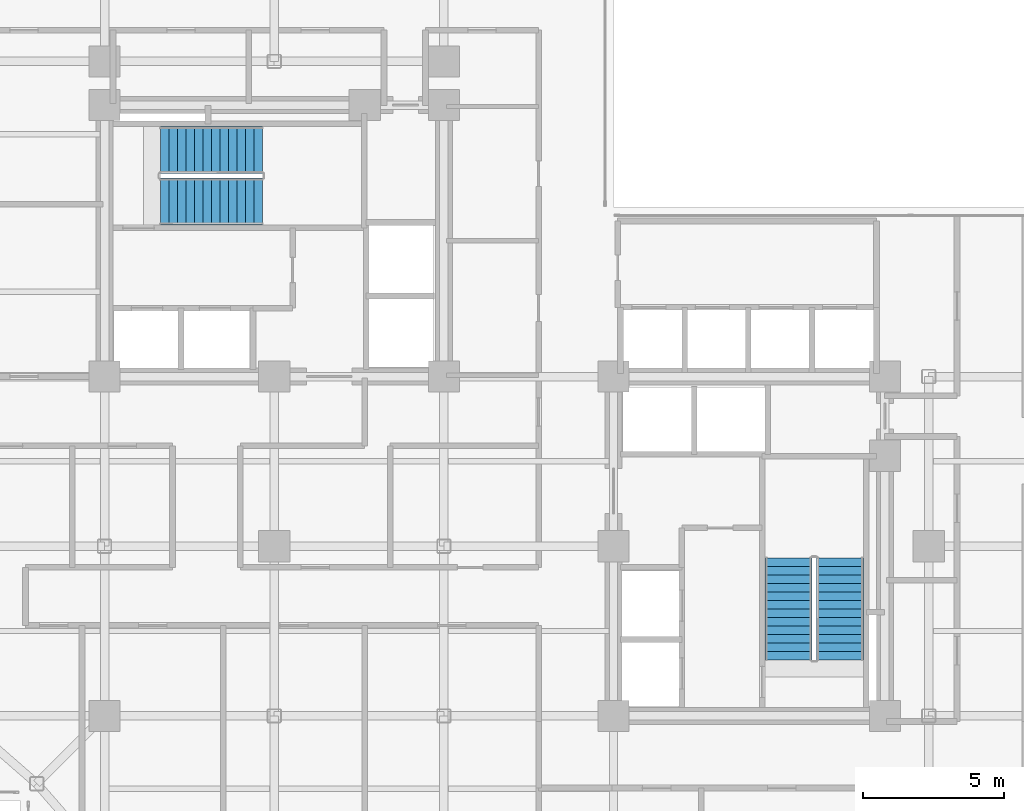
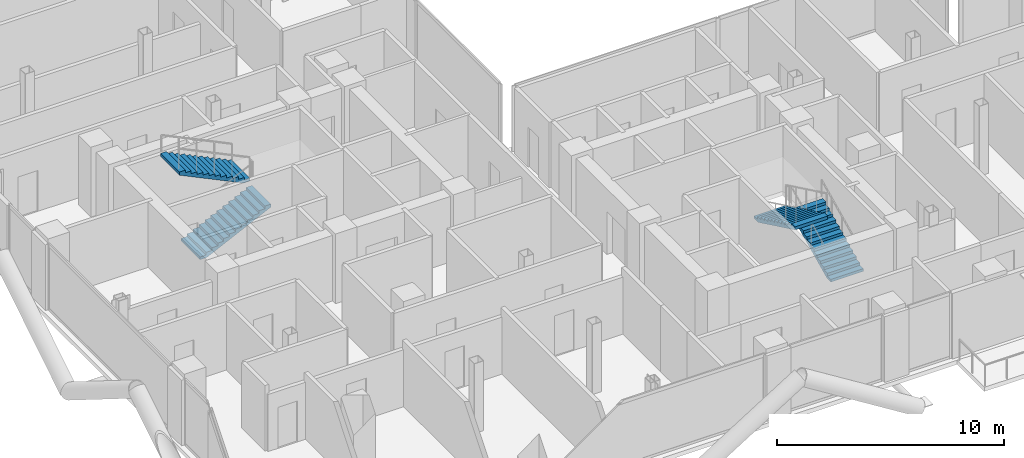
# One storey, part 25 of 28: 4 stair flights, 2 elements without a shape of their own.
"""IFC4 building model written with IfcOpenShell, lengths in metres."""

from ifc_helpers import new_model, si_unit, direction, frame, origin, place, context, subcontext, project, spatial, polyline, outline, extrude, material, type_object, element, aggregate, save


model = new_model("IFC4")

# Units and contexts
model_context = context("Model", 3, precision=1e-05, world=origin(), true_north=direction((0.0, 1.0)))
body_context = subcontext(model_context, "Body", "Model", "MODEL_VIEW")
ifc_project = project(units=[si_unit("LENGTHUNIT", "METRE"), si_unit("AREAUNIT", "SQUARE_METRE"), si_unit("VOLUMEUNIT", "CUBIC_METRE"), si_unit("PLANEANGLEUNIT", "RADIAN"), si_unit("MASSUNIT", "GRAM", prefix="KILO"), si_unit("THERMODYNAMICTEMPERATUREUNIT", "KELVIN"), si_unit("POWERUNIT", "WATT")], contexts=[model_context])

# Site, building, storey
site_placement = place(None, origin())
site = spatial("IfcSite", under=ifc_project, at=site_placement, CompositionType="ELEMENT")
building_placement = place(site_placement, origin())
building = spatial("IfcBuilding", under=site, at=building_placement, Name="Svarakhadi Broadcast Tower", CompositionType="ELEMENT")
storey_placement = place(building_placement, frame((0.0, 0.0, 119.39990234375)))
storey = spatial("IfcBuildingStorey", under=building, at=storey_placement, Name="L28", CompositionType="ELEMENT", Elevation=119.39990234375)

# Stair, stair flights
ifc_material = material(Name="Concrete C40/50 (IS 456 M50)", Category="concrete")
stair_type = type_object("IfcStairType", Name="Stair_Exit_Core", PredefinedType="HALF_TURN_STAIR", material=ifc_material)
stair_1_placement = place(storey_placement, origin())
stair_1 = element("IfcStair", 1, at=stair_1_placement, inside=storey, type_object=stair_type, Name="L28 West Core Protected Exit Stair ST-01", PredefinedType="HALF_TURN_STAIR")
stair_flight_type = type_object("IfcStairFlightType", Name="Flight_RC_1680", PredefinedType="STRAIGHT", material=ifc_material)
stair_flight_1_placement = place(storey_placement, frame((7.97998046875, 24.18994140625, 0.0), z_axis=(0.0, 0.0, 1.0), x_axis=(1.0, 0.0, 0.0)))
stair_flight_1 = element("IfcStairFlight", 2, at=stair_flight_1_placement, type_object=stair_flight_type, Name="ST-01 flight 1", NumberOfRisers=13, NumberOfTreads=12, PredefinedType="STRAIGHT", RiserHeight=0.144230769, TreadLength=0.3, context=body_context, shape_type="SweptSolid", body=[
    extrude(outline(polyline([(0.0, 0.0), (0.0, 0.144287109375), (0.300048828125, 0.144287109375), (0.300048828125, 0.28857421875), (0.60009765625, 0.28857421875), (0.60009765625, 0.4326171875), (0.89990234375, 0.4326171875), (0.89990234375, 0.576904296875), (1.199951171875, 0.576904296875), (1.199951171875, 0.72119140625), (1.5, 0.72119140625), (1.5, 0.865478515625), (1.800048828125, 0.865478515625), (1.800048828125, 1.009521484375), (2.10009765625, 1.009521484375), (2.10009765625, 1.15380859375), (2.39990234375, 1.15380859375), (2.39990234375, 1.298095703125), (2.699951171875, 1.298095703125), (2.699951171875, 1.4423828125), (3.0, 1.4423828125), (3.0, 1.58642578125), (3.300048828125, 1.58642578125), (3.300048828125, 1.730712890625), (3.60009765625, 1.730712890625), (3.60009765625, 1.875), (3.60009765625, 1.564453125), (0.345947265625, 0.0), (0.0, 0.0)])), frame((0.0, 0.830078125, 0.0), z_axis=(0.0, -1.0, 0.0), x_axis=(1.0, 0.0, 0.0)), (0.0, 0.0, 1.0), 1.659912109375),
])
stair_flight_2_placement = place(storey_placement, frame((11.580078125, 26.010009765625, 1.875), z_axis=(0.0, 0.0, 1.0), x_axis=(-1.0, 0.0, 0.0)))
stair_flight_2 = element("IfcStairFlight", 3, at=stair_flight_2_placement, type_object=stair_flight_type, Name="ST-01 flight 2", NumberOfRisers=13, NumberOfTreads=12, PredefinedType="STRAIGHT", RiserHeight=0.144230769, TreadLength=0.3, context=body_context, shape_type="SweptSolid", body=[
    extrude(outline(polyline([(0.0, 0.0), (0.0, 0.144287109375), (0.300048828125, 0.144287109375), (0.300048828125, 0.28857421875), (0.60009765625, 0.28857421875), (0.60009765625, 0.4326171875), (0.89990234375, 0.4326171875), (0.89990234375, 0.576904296875), (1.199951171875, 0.576904296875), (1.199951171875, 0.72119140625), (1.5, 0.72119140625), (1.5, 0.865478515625), (1.800048828125, 0.865478515625), (1.800048828125, 1.009521484375), (2.10009765625, 1.009521484375), (2.10009765625, 1.15380859375), (2.39990234375, 1.15380859375), (2.39990234375, 1.298095703125), (2.699951171875, 1.298095703125), (2.699951171875, 1.4423828125), (3.0, 1.4423828125), (3.0, 1.58642578125), (3.300048828125, 1.58642578125), (3.300048828125, 1.730712890625), (3.60009765625, 1.730712890625), (3.60009765625, 1.875), (3.60009765625, 1.564453125), (0.345947265625, 0.0), (0.0, 0.0)])), frame((0.0, 0.830078125, 0.0), z_axis=(0.0, -1.0, 0.0), x_axis=(1.0, 0.0, 0.0)), (0.0, 0.0, 1.0), 1.659912109375),
])
aggregate(stair_1, [stair_flight_1, stair_flight_2])

stair_2_placement = place(storey_placement, origin())
stair_2 = element("IfcStair", 4, at=stair_2_placement, inside=storey, type_object=stair_type, Name="L28 East Core Protected Exit Stair ST-02", PredefinedType="HALF_TURN_STAIR")
stair_flight_3_placement = place(storey_placement, frame((32.010009765625, 7.97998046875, 0.0), z_axis=(0.0, 0.0, 1.0), x_axis=(0.0, 1.0, 0.0)))
stair_flight_3 = element("IfcStairFlight", 5, at=stair_flight_3_placement, type_object=stair_flight_type, Name="ST-02 flight 1", NumberOfRisers=13, NumberOfTreads=12, PredefinedType="STRAIGHT", RiserHeight=0.144230769, TreadLength=0.3, context=body_context, shape_type="SweptSolid", body=[
    extrude(outline(polyline([(0.0, 0.0), (0.0, 0.144287109375), (0.300048828125, 0.144287109375), (0.300048828125, 0.28857421875), (0.60009765625, 0.28857421875), (0.60009765625, 0.4326171875), (0.89990234375, 0.4326171875), (0.89990234375, 0.576904296875), (1.199951171875, 0.576904296875), (1.199951171875, 0.72119140625), (1.5, 0.72119140625), (1.5, 0.865478515625), (1.800048828125, 0.865478515625), (1.800048828125, 1.009521484375), (2.10009765625, 1.009521484375), (2.10009765625, 1.15380859375), (2.39990234375, 1.15380859375), (2.39990234375, 1.298095703125), (2.699951171875, 1.298095703125), (2.699951171875, 1.4423828125), (3.0, 1.4423828125), (3.0, 1.58642578125), (3.300048828125, 1.58642578125), (3.300048828125, 1.730712890625), (3.60009765625, 1.730712890625), (3.60009765625, 1.875), (3.60009765625, 1.564453125), (0.345947265625, 0.0), (0.0, 0.0)])), frame((0.0, 0.830078125, 0.0), z_axis=(0.0, -1.0, 0.0), x_axis=(1.0, 0.0, 0.0)), (0.0, 0.0, 1.0), 1.659912109375),
])
stair_flight_4_placement = place(storey_placement, frame((30.18994140625, 11.580078125, 1.875), z_axis=(0.0, 0.0, 1.0), x_axis=(0.0, -1.0, 0.0)))
stair_flight_4 = element("IfcStairFlight", 6, at=stair_flight_4_placement, type_object=stair_flight_type, Name="ST-02 flight 2", NumberOfRisers=13, NumberOfTreads=12, PredefinedType="STRAIGHT", RiserHeight=0.144230769, TreadLength=0.3, context=body_context, shape_type="SweptSolid", body=[
    extrude(outline(polyline([(0.0, 0.0), (0.0, 0.144287109375), (0.300048828125, 0.144287109375), (0.300048828125, 0.28857421875), (0.60009765625, 0.28857421875), (0.60009765625, 0.4326171875), (0.89990234375, 0.4326171875), (0.89990234375, 0.576904296875), (1.199951171875, 0.576904296875), (1.199951171875, 0.72119140625), (1.5, 0.72119140625), (1.5, 0.865478515625), (1.800048828125, 0.865478515625), (1.800048828125, 1.009521484375), (2.10009765625, 1.009521484375), (2.10009765625, 1.15380859375), (2.39990234375, 1.15380859375), (2.39990234375, 1.298095703125), (2.699951171875, 1.298095703125), (2.699951171875, 1.4423828125), (3.0, 1.4423828125), (3.0, 1.58642578125), (3.300048828125, 1.58642578125), (3.300048828125, 1.730712890625), (3.60009765625, 1.730712890625), (3.60009765625, 1.875), (3.60009765625, 1.564453125), (0.345947265625, 0.0), (0.0, 0.0)])), frame((0.0, 0.830078125, 0.0), z_axis=(0.0, -1.0, 0.0), x_axis=(1.0, 0.0, 0.0)), (0.0, 0.0, 1.0), 1.659912109375),
])
aggregate(stair_2, [stair_flight_3, stair_flight_4])

save(model, "model.ifc")
